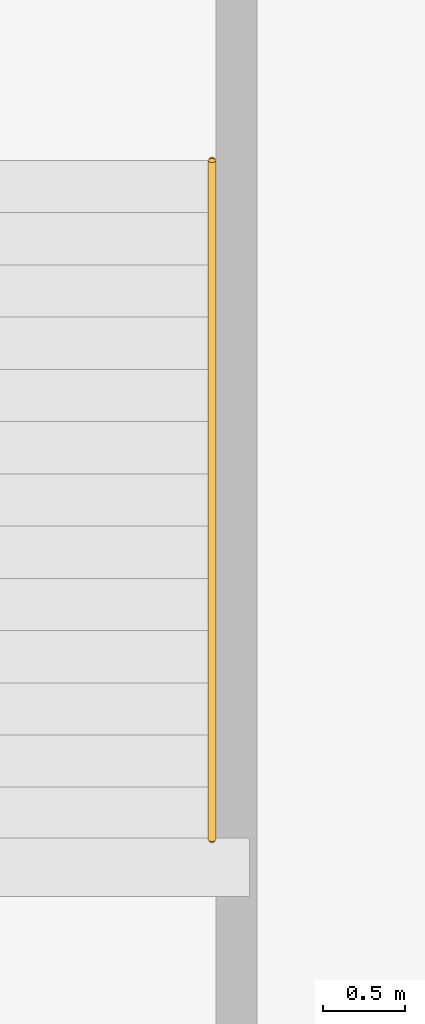
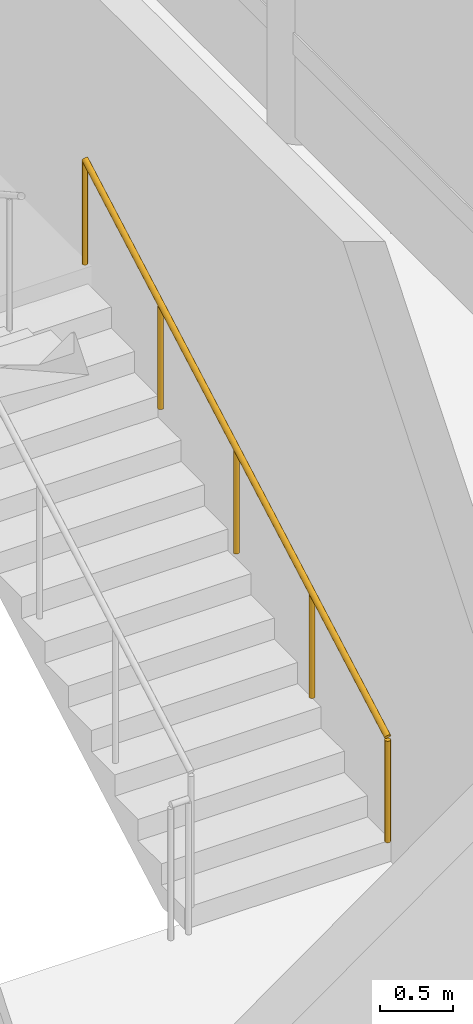
# One storey, part 21 of 21: 1 railing.
"""IFC4 building model written with IfcOpenShell, lengths in metres."""

from ifc_helpers import new_model, si_unit, direction, frame, origin, origin_2d, place, context, subcontext, project, spatial, circle, extrude, material, layer, layer_set, type_object, element, save


model = new_model("IFC4")

# Units and contexts
model_context = context("Model", 3, precision=1e-05, world=origin(), true_north=direction((0.0, 1.0)))
body_context = subcontext(model_context, "Body", "Model", "MODEL_VIEW")
ifc_project = project(units=[si_unit("LENGTHUNIT", "METRE"), si_unit("AREAUNIT", "SQUARE_METRE"), si_unit("VOLUMEUNIT", "CUBIC_METRE"), si_unit("PLANEANGLEUNIT", "RADIAN"), si_unit("MASSUNIT", "GRAM", prefix="KILO")], contexts=[model_context])

# Site, building, storey
site_placement = place(None, origin())
site = spatial("IfcSite", under=ifc_project, at=site_placement, CompositionType="ELEMENT")
building_placement = place(site_placement, origin())
building = spatial("IfcBuilding", under=site, at=building_placement, Name="Kallvorn Hotel Tower", CompositionType="ELEMENT")
storey_placement = place(building_placement, frame((0.0, 0.0, 290.60009765625)))
storey = spatial("IfcBuildingStorey", under=building, at=storey_placement, Name="L72", CompositionType="ELEMENT", Elevation=290.60009765625)

# Railing
ifc_material = material(Name="Brushed stainless-steel tubular railing", Category="steel")
ifc_layer = layer(ifc_material, 0.050048828125)
ifc_layer_set = layer_set([ifc_layer], Name="RL_STAIR_HAND")
railing_type = type_object("IfcRailingType", Name="RL_STAIR_HAND", PredefinedType="HANDRAIL", material=ifc_layer_set)
railing_placement = place(storey_placement, frame((20.110107421875, -3.139892578125, 0.178466796875)))
element("IfcRailing", 1, at=railing_placement, inside=storey, type_object=railing_type, Name="L72 ST4 stair handrail 1", PredefinedType="HANDRAIL", context=body_context, shape_type="SweptSolid", body=[
    extrude(circle(Radius=0.02392578125, at=origin_2d()), frame((0.0, 0.0, 0.8759765625), z_axis=(0.0, 0.873222553742, 0.487321630585), x_axis=(-1.0, 0.0, 0.0)), (0.0, 0.0, 1.0), 4.763916015625),
    extrude(circle(Radius=0.02099609375, at=origin_2d()), origin(), (0.0, 0.0, 1.0), 0.851806640625),
    extrude(circle(Radius=0.02099609375, at=origin_2d()), frame((0.0, 1.0400390625, 0.580322265625)), (0.0, 0.0, 1.0), 0.851806640625),
    extrude(circle(Radius=0.02099609375, at=origin_2d()), frame((0.0, 2.080078125, 1.16064453125)), (0.0, 0.0, 1.0), 0.851806640625),
    extrude(circle(Radius=0.02099609375, at=origin_2d()), frame((0.0, 3.119873046875, 1.7412109375)), (0.0, 0.0, 1.0), 0.851806640625),
    extrude(circle(Radius=0.02099609375, at=origin_2d()), frame((0.0, 4.159912109375, 2.321533203125)), (0.0, 0.0, 1.0), 0.851806640625),
])

save(model, "model.ifc")
